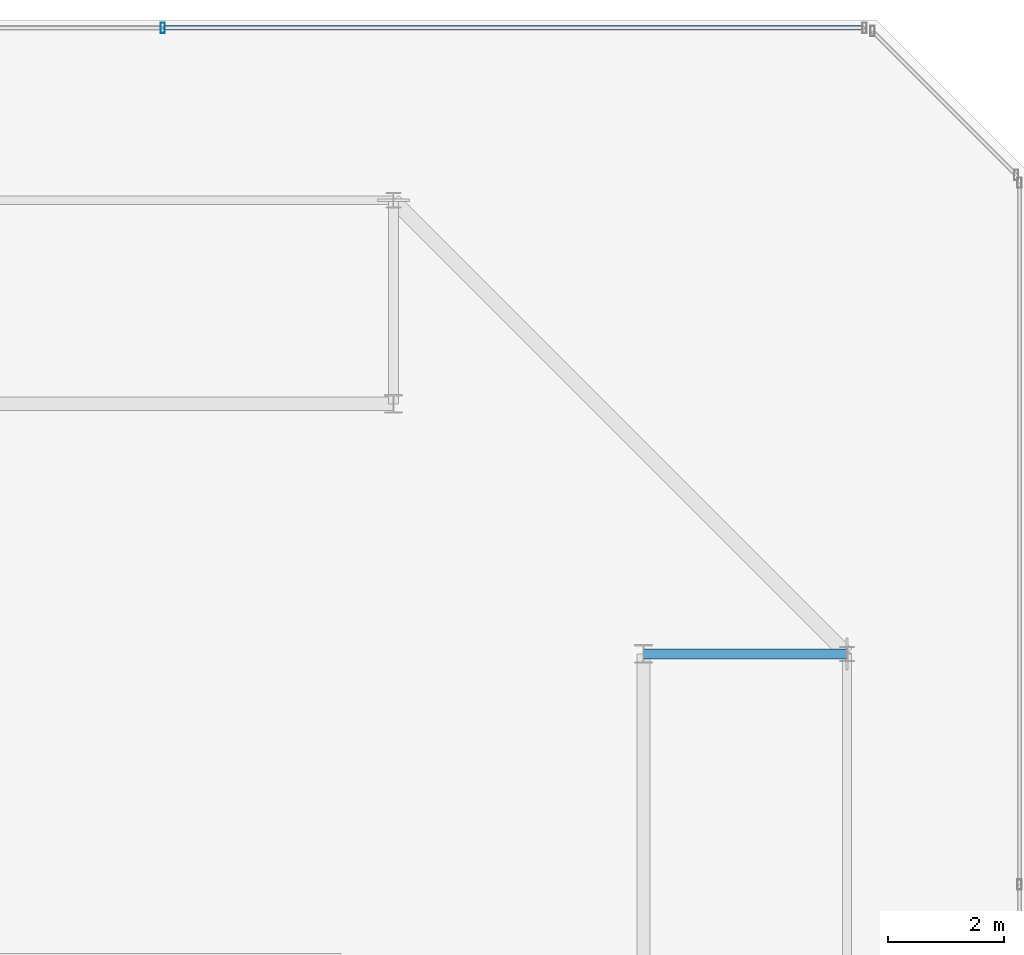
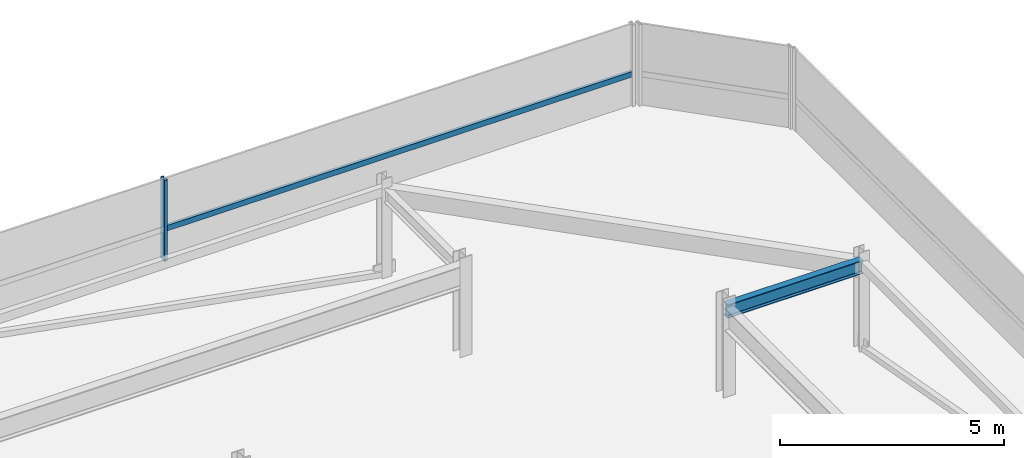
# One storey, part 37 of 44: 2 members, 1 beam, 1 element without a shape of its own.
"""IFC4 building model written with IfcOpenShell, lengths in metres."""

from ifc_helpers import new_model, si_unit, direction, frame, origin, origin_2d, place, context, subcontext, project, spatial, hollow_rectangle, i_section, extrude, material, material_profile, profile_set, type_object, element, aggregate, save


model = new_model("IFC4")

# Units and contexts
model_context = context("Model", 3, precision=1e-05, world=origin(), true_north=direction((0.0, 1.0)))
body_context = subcontext(model_context, "Body", "Model", "MODEL_VIEW")
ifc_project = project(units=[si_unit("LENGTHUNIT", "METRE"), si_unit("AREAUNIT", "SQUARE_METRE"), si_unit("VOLUMEUNIT", "CUBIC_METRE"), si_unit("PLANEANGLEUNIT", "RADIAN"), si_unit("MASSUNIT", "GRAM", prefix="KILO")], contexts=[model_context])

# Site, building, storey
site_placement = place(None, origin())
site = spatial("IfcSite", under=ifc_project, at=site_placement, CompositionType="ELEMENT")
building_placement = place(site_placement, origin())
building = spatial("IfcBuilding", under=site, at=building_placement, Name="Thornwick Lancets Civic Towers", CompositionType="ELEMENT")
storey_placement = place(building_placement, frame((0.0, 0.0, 294.89990234375)))
storey = spatial("IfcBuildingStorey", under=building, at=storey_placement, Name="C06", CompositionType="ELEMENT", Elevation=294.89990234375)

# Beam
ifc_material_1 = material(Name="Steel S355JR", Category="steel")
ifc_material_profile_1 = material_profile(ifc_material_1, i_section(OverallWidth=0.173095703125, OverallDepth=0.36328125, WebThickness=0.009033203125, FlangeThickness=0.015625, FilletRadius=0.01025390625, at=origin_2d()), Name="UKB 356x171x67")
ifc_profile_set_1 = profile_set([ifc_material_profile_1], Name="Steel S355JR")
beam_type = type_object("IfcBeamType", Name="BM_JOIST_356_67", PredefinedType="JOIST", material=ifc_profile_set_1)
beam_placement = place(storey_placement, frame((105.800048828125, 40.0, 2.25830078125), z_axis=(1.0, 0.0, 0.0), x_axis=(0.0, 1.0, 0.0)))
element("IfcBeam", 1, at=beam_placement, inside=storey, type_object=beam_type, Name="BM-RAD-C06-B03", PredefinedType="JOIST", context=body_context, shape_type="SweptSolid", body=[
    extrude(i_section(OverallWidth=0.173095703125, OverallDepth=0.36328125, WebThickness=0.009033203125, FlangeThickness=0.015625, FilletRadius=0.01025390625, at=origin_2d()), origin(), (0.0, 0.0, 1.0), 3.5),
])

# Curtain wall, members
ifc_material_2 = material(Name="Crown ring acoustic-louvre and glazing screen wall", Category="glass")
curtain_wall_type = type_object("IfcCurtainWallType", Name="CW_SYS_07", PredefinedType="NOTDEFINED", material=ifc_material_2)
curtain_wall_placement = place(storey_placement, origin())
curtain_wall = element("IfcCurtainWall", 2, at=curtain_wall_placement, inside=storey, type_object=curtain_wall_type, Name="C06 Curtain Wall CW-C06-B-E4", PredefinedType="NOTDEFINED")
ifc_material_3 = material(Name="Thermally broken bronze aluminium S355", Category="steel")
ifc_material_profile_2 = material_profile(ifc_material_3, hollow_rectangle(XDim=0.074951171875, YDim=0.179931640625, WallThickness=0.006103515625, at=origin_2d()), Name="RHS 180x75x6")
ifc_profile_set_2 = profile_set([ifc_material_profile_2], Name="Thermally broken bronze aluminium S355")
member_type_1 = type_object("IfcMemberType", Name="CW_MUL_180", PredefinedType="MULLION", material=ifc_profile_set_2)
member_1_placement = place(storey_placement, frame((97.53369140625, 50.7646484375, 0.0), z_axis=(0.0, 0.0, 1.0), x_axis=(1.0, 0.0, 0.0)))
member_1 = element("IfcMember", 3, at=member_1_placement, type_object=member_type_1, Name="CW-C06-B-E4 Mullion 1", PredefinedType="MULLION", context=body_context, shape_type="SweptSolid", body=[
    extrude(hollow_rectangle(XDim=0.074951171875, YDim=0.179931640625, WallThickness=0.006103515625, at=origin_2d()), origin(), (0.0, 0.0, 1.0), 2.22021484375),
])
ifc_material_profile_3 = material_profile(ifc_material_3, hollow_rectangle(XDim=0.074951171875, YDim=0.14990234375, WallThickness=0.0048828125, at=origin_2d()), Name="RHS 150x75x5")
ifc_profile_set_3 = profile_set([ifc_material_profile_3], Name="Thermally broken bronze aluminium S355")
member_type_2 = type_object("IfcMemberType", Name="CW_TRN_150", PredefinedType="USERDEFINED", material=ifc_profile_set_3)
member_2_placement = place(storey_placement, frame((109.581298828125, 50.7646484375, 0.85009765625), z_axis=(-1.0, 0.0, 0.0), x_axis=(0.0, -1.0, 0.0)))
member_2 = element("IfcMember", 4, at=member_2_placement, type_object=member_type_2, Name="CW-C06-B-E4 Transom 0", ObjectType="TRANSOM", PredefinedType="USERDEFINED", context=body_context, shape_type="SweptSolid", body=[
    extrude(hollow_rectangle(XDim=0.074951171875, YDim=0.14990234375, WallThickness=0.0048828125, at=origin_2d()), origin(), (0.0, 0.0, 1.0), 12.027587890625),
])
aggregate(curtain_wall, [member_1, member_2])

save(model, "model.ifc")
